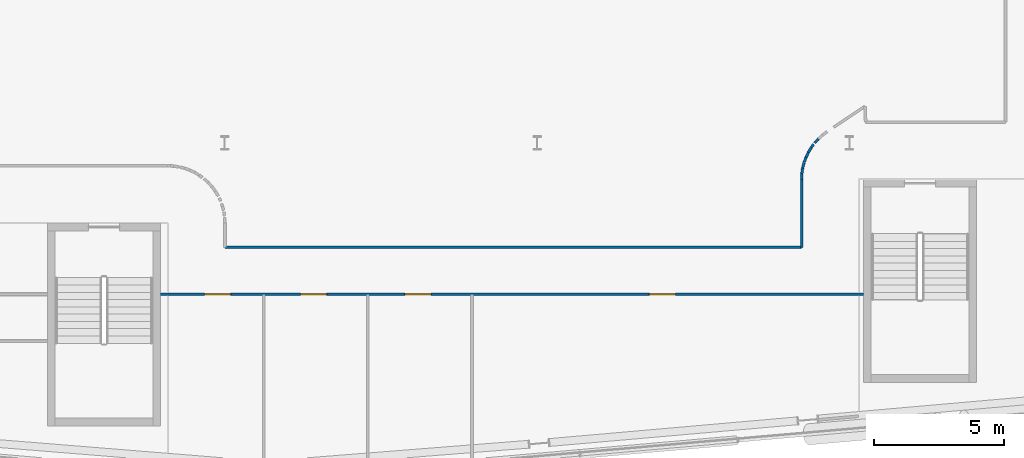
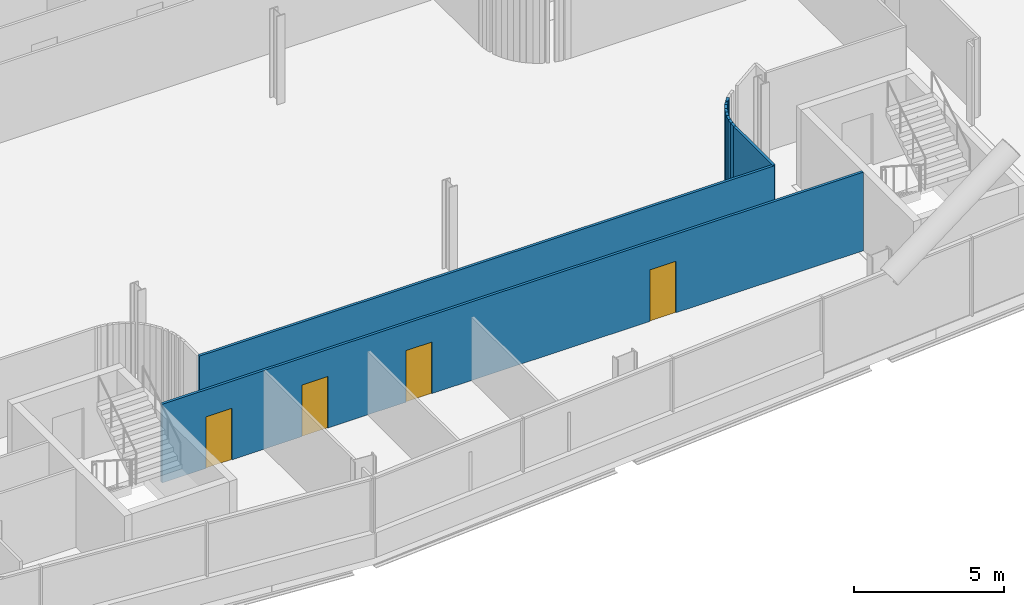
# One storey, part 17 of 30: 11 walls, 4 doors, 4 openings.
"""IFC4 building model written with IfcOpenShell, lengths in metres."""

from ifc_helpers import new_model, si_unit, direction, frame, frame_2d, origin, place, context, subcontext, project, spatial, rectangle, extrude, material, layer, layer_set, type_object, element, fill, save


model = new_model("IFC4")

# Units and contexts
model_context = context("Model", 3, precision=1e-05, world=origin(), true_north=direction((0.0, 1.0)))
body_context = subcontext(model_context, "Body", "Model", "MODEL_VIEW")
ifc_project = project(units=[si_unit("LENGTHUNIT", "METRE"), si_unit("AREAUNIT", "SQUARE_METRE"), si_unit("VOLUMEUNIT", "CUBIC_METRE"), si_unit("PLANEANGLEUNIT", "RADIAN"), si_unit("MASSUNIT", "GRAM", prefix="KILO")], contexts=[model_context])

# Site, building, storey
site_placement = place(None, origin())
site = spatial("IfcSite", under=ifc_project, at=site_placement, CompositionType="ELEMENT")
building_placement = place(site_placement, origin())
building = spatial("IfcBuilding", under=site, at=building_placement, Name="Wharfspan Tower", CompositionType="ELEMENT")
storey_placement = place(building_placement, frame((0.0, 0.0, 107.5)))
storey = spatial("IfcBuildingStorey", under=building, at=storey_placement, Name="L24", CompositionType="ELEMENT", Elevation=107.5)

# Wall, openings, doors
ifc_material_1 = material(Name="Gypsum board on steel studs", Category="steel")
ifc_layer = layer(ifc_material_1, 0.100098)
ifc_layer_set = layer_set([ifc_layer], Name="Gypsum board on steel studs")
wall_type = type_object("IfcWallType", Name="Compartment wall 100 EI 60", PredefinedType="PARTITIONING", material=ifc_layer_set)
wall_1_placement = place(storey_placement, frame((45.5354, 5.679932, 0.0), z_axis=(0.0, 0.0, 1.0), x_axis=(1.0, 0.0, 0.0)))
wall_1 = element("IfcWall", 1, at=wall_1_placement, inside=storey, type_object=wall_type, Name="Partition L24.w048", PredefinedType="PARTITIONING", context=body_context, shape_type="SweptSolid", body=[
    extrude(rectangle(XDim=27.005615, YDim=0.100098, at=frame_2d((13.50293, 0.0))), origin(), (0.0, 0.0, 1.0), 3.199951),
])
opening_1_placement = place(wall_1_placement, frame((1.69458, 0.0, 0.0)))
opening_1 = element("IfcOpeningElement", 2, at=opening_1_placement, cuts=wall_1, Name="Opening B2-06", PredefinedType="OPENING", context=body_context, shape_type="SweptSolid", body=[
    extrude(rectangle(XDim=1.0, YDim=2.100098, at=frame_2d((0.5, 1.050049))), frame((0.0, 0.060059, 0.0), z_axis=(0.0, -1.0, 0.0), x_axis=(1.0, 0.0, 0.0)), (0.0, 0.0, 1.0), 0.120117),
])
opening_2_placement = place(wall_1_placement, frame((5.384766, 0.0, 0.0)))
opening_2 = element("IfcOpeningElement", 3, at=opening_2_placement, cuts=wall_1, Name="Opening B2-07", PredefinedType="OPENING", context=body_context, shape_type="SweptSolid", body=[
    extrude(rectangle(XDim=1.0, YDim=2.100098, at=frame_2d((0.5, 1.050049))), frame((0.0, 0.060059, 0.0), z_axis=(0.0, -1.0, 0.0), x_axis=(1.0, 0.0, 0.0)), (0.0, 0.0, 1.0), 0.120117),
])
opening_3_placement = place(wall_1_placement, frame((9.384766, 0.0, 0.0)))
opening_3 = element("IfcOpeningElement", 4, at=opening_3_placement, cuts=wall_1, Name="Opening B2-08", PredefinedType="OPENING", context=body_context, shape_type="SweptSolid", body=[
    extrude(rectangle(XDim=1.0, YDim=2.100098, at=frame_2d((0.5, 1.050049))), frame((0.0, 0.060059, 0.0), z_axis=(0.0, -1.0, 0.0), x_axis=(1.0, 0.0, 0.0)), (0.0, 0.0, 1.0), 0.120117),
])
opening_4_placement = place(wall_1_placement, frame((18.784668, 0.0, 0.0)))
opening_4 = element("IfcOpeningElement", 5, at=opening_4_placement, cuts=wall_1, Name="Opening B2-09", PredefinedType="OPENING", context=body_context, shape_type="SweptSolid", body=[
    extrude(rectangle(XDim=1.0, YDim=2.100098, at=frame_2d((0.5, 1.050049))), frame((0.0, 0.060059, 0.0), z_axis=(0.0, -1.0, 0.0), x_axis=(1.0, 0.0, 0.0)), (0.0, 0.0, 1.0), 0.120117),
])
ifc_material_2 = material(Name="Fire-rated timber door leaf in steel frame", Category="steel")
door_type_1 = type_object("IfcDoorType", Name="Door 1000 FD30S Left", OperationType="SINGLE_SWING_LEFT", PredefinedType="DOOR", material=ifc_material_2)
door_1_placement = place(opening_1_placement, origin())
door_1 = element("IfcDoor", 6, at=door_1_placement, inside=storey, type_object=door_type_1, Name="Door B2-06", OperationType="SINGLE_SWING_LEFT", OverallHeight=2.100098, OverallWidth=1.0, PredefinedType="DOOR", context=body_context, shape_type="SweptSolid", body=[
    extrude(rectangle(XDim=1.0, YDim=2.100098, at=frame_2d((0.5, 1.050049))), frame((0.0, 0.024902, 0.0), z_axis=(0.0, -1.0, 0.0), x_axis=(1.0, 0.0, 0.0)), (0.0, 0.0, 1.0), 0.050049),
])
fill(opening_1, door_1)
door_2_placement = place(opening_2_placement, origin())
door_2 = element("IfcDoor", 7, at=door_2_placement, inside=storey, type_object=door_type_1, Name="Door B2-07", OperationType="SINGLE_SWING_LEFT", OverallHeight=2.100098, OverallWidth=1.0, PredefinedType="DOOR", context=body_context, shape_type="SweptSolid", body=[
    extrude(rectangle(XDim=1.0, YDim=2.100098, at=frame_2d((0.5, 1.050049))), frame((0.0, 0.024902, 0.0), z_axis=(0.0, -1.0, 0.0), x_axis=(1.0, 0.0, 0.0)), (0.0, 0.0, 1.0), 0.050049),
])
fill(opening_2, door_2)
door_3_placement = place(opening_3_placement, origin())
door_3 = element("IfcDoor", 8, at=door_3_placement, inside=storey, type_object=door_type_1, Name="Door B2-08", OperationType="SINGLE_SWING_LEFT", OverallHeight=2.100098, OverallWidth=1.0, PredefinedType="DOOR", context=body_context, shape_type="SweptSolid", body=[
    extrude(rectangle(XDim=1.0, YDim=2.100098, at=frame_2d((0.5, 1.050049))), frame((0.0, 0.024902, 0.0), z_axis=(0.0, -1.0, 0.0), x_axis=(1.0, 0.0, 0.0)), (0.0, 0.0, 1.0), 0.050049),
])
fill(opening_3, door_3)
door_type_2 = type_object("IfcDoorType", Name="Door 1000 FD30S Right", OperationType="SINGLE_SWING_RIGHT", PredefinedType="DOOR", material=ifc_material_2)
door_4_placement = place(opening_4_placement, origin())
door_4 = element("IfcDoor", 9, at=door_4_placement, inside=storey, type_object=door_type_2, Name="Door B2-09", OperationType="SINGLE_SWING_RIGHT", OverallHeight=2.100098, OverallWidth=1.0, PredefinedType="DOOR", context=body_context, shape_type="SweptSolid", body=[
    extrude(rectangle(XDim=1.0, YDim=2.100098, at=frame_2d((0.5, 1.050049))), frame((0.0, 0.024902, 0.0), z_axis=(0.0, -1.0, 0.0), x_axis=(1.0, 0.0, 0.0)), (0.0, 0.0, 1.0), 0.050049),
])
fill(opening_4, door_4)

# Walls
wall_2_placement = place(storey_placement, frame((48.01001, 7.485107, 0.0), z_axis=(0.0, 0.0, 1.0), x_axis=(1.0, 0.0, 0.0)))
element("IfcWall", 10, at=wall_2_placement, inside=storey, type_object=wall_type, Name="Partition L24.w067", PredefinedType="PARTITIONING", context=body_context, shape_type="SweptSolid", body=[
    extrude(rectangle(XDim=22.155029, YDim=0.100098, at=frame_2d((11.077637, 0.0))), origin(), (0.0, 0.0, 1.0), 3.199951),
])
wall_3_placement = place(storey_placement, frame((70.165039, 7.485107, 0.0), z_axis=(0.0, 0.0, 1.0), x_axis=(0.0, 1.0, 0.0)))
element("IfcWall", 11, at=wall_3_placement, inside=storey, type_object=wall_type, Name="Partition L24.w102", PredefinedType="PARTITIONING", context=body_context, shape_type="SweptSolid", body=[
    extrude(rectangle(XDim=2.609863, YDim=0.100098, at=frame_2d((1.304932, 0.0))), origin(), (0.0, 0.0, 1.0), 3.199951),
])
wall_4_placement = place(storey_placement, frame((70.165039, 10.094971, 0.0), z_axis=(0.0, 0.0, 1.0), x_axis=(0.046488, 0.998923, 0.0)))
element("IfcWall", 12, at=wall_4_placement, inside=storey, type_object=wall_type, Name="Partition L24.w103", PredefinedType="PARTITIONING", context=body_context, shape_type="SweptSolid", body=[
    extrude(rectangle(XDim=0.215332, YDim=0.100098, at=frame_2d((0.107666, 0.0))), origin(), (0.0, 0.0, 1.0), 3.199951),
])
wall_5_placement = place(storey_placement, frame((70.175049, 10.310059, 0.0), z_axis=(0.0, 0.0, 1.0), x_axis=(0.138427, 0.990372, 0.0)))
element("IfcWall", 13, at=wall_5_placement, inside=storey, type_object=wall_type, Name="Partition L24.w104", PredefinedType="PARTITIONING", context=body_context, shape_type="SweptSolid", body=[
    extrude(rectangle(XDim=0.217041, YDim=0.100098, at=frame_2d((0.108398, 0.0))), origin(), (0.0, 0.0, 1.0), 3.199951),
])
wall_6_placement = place(storey_placement, frame((70.205078, 10.524902, 0.0), z_axis=(0.0, 0.0, 1.0), x_axis=(0.252833, 0.967508, 0.0)))
element("IfcWall", 14, at=wall_6_placement, inside=storey, type_object=wall_type, Name="Partition L24.w105", PredefinedType="PARTITIONING", context=body_context, shape_type="SweptSolid", body=[
    extrude(rectangle(XDim=0.217285, YDim=0.100098, at=frame_2d((0.108643, 0.0))), origin(), (0.0, 0.0, 1.0), 3.199951),
])
wall_7_placement = place(storey_placement, frame((70.264893, 10.75, 0.0), z_axis=(0.0, 0.0, 1.0), x_axis=(0.354097, 0.935211, 0.0)))
element("IfcWall", 15, at=wall_7_placement, inside=storey, type_object=wall_type, Name="Partition L24.w106", PredefinedType="PARTITIONING", context=body_context, shape_type="SweptSolid", body=[
    extrude(rectangle(XDim=0.197998, YDim=0.100098, at=frame_2d((0.099121, 0.0))), origin(), (0.0, 0.0, 1.0), 3.199951),
])
wall_8_placement = place(storey_placement, frame((70.334961, 10.935059, 0.0), z_axis=(0.0, 0.0, 1.0), x_axis=(0.419707, 0.907659, 0.0)))
element("IfcWall", 16, at=wall_8_placement, inside=storey, type_object=wall_type, Name="Partition L24.w107", PredefinedType="PARTITIONING", context=body_context, shape_type="SweptSolid", body=[
    extrude(rectangle(XDim=0.2146, YDim=0.100098, at=frame_2d((0.107422, 0.0))), origin(), (0.0, 0.0, 1.0), 3.199951),
])
wall_9_placement = place(storey_placement, frame((70.425049, 11.129883, 0.0), z_axis=(0.0, 0.0, 1.0), x_axis=(0.510487, 0.859887, 0.0)))
element("IfcWall", 17, at=wall_9_placement, inside=storey, type_object=wall_type, Name="Partition L24.w108", PredefinedType="PARTITIONING", context=body_context, shape_type="SweptSolid", body=[
    extrude(rectangle(XDim=0.215332, YDim=0.100098, at=frame_2d((0.107666, 0.0))), origin(), (0.0, 0.0, 1.0), 3.199951),
])
wall_10_placement = place(storey_placement, frame((70.534912, 11.320068, 0.0), z_axis=(0.0, 0.0, 1.0), x_axis=(0.620989, 0.783819, 0.0)))
element("IfcWall", 18, at=wall_10_placement, inside=storey, type_object=wall_type, Name="Partition L24.w109", PredefinedType="PARTITIONING", context=body_context, shape_type="SweptSolid", body=[
    extrude(rectangle(XDim=0.152832, YDim=0.100098, at=frame_2d((0.076416, 0.0))), origin(), (0.0, 0.0, 1.0), 3.199951),
])
wall_11_placement = place(storey_placement, frame((70.665039, 11.48999, 0.0), z_axis=(0.0, 0.0, 1.0), x_axis=(0.671775, 0.740762, 0.0)))
element("IfcWall", 19, at=wall_11_placement, inside=storey, type_object=wall_type, Name="Partition L24.w110", PredefinedType="PARTITIONING", context=body_context, shape_type="SweptSolid", body=[
    extrude(rectangle(XDim=0.21582, YDim=0.100098, at=frame_2d((0.10791, 0.0))), origin(), (0.0, 0.0, 1.0), 3.199951),
])

save(model, "model.ifc")
